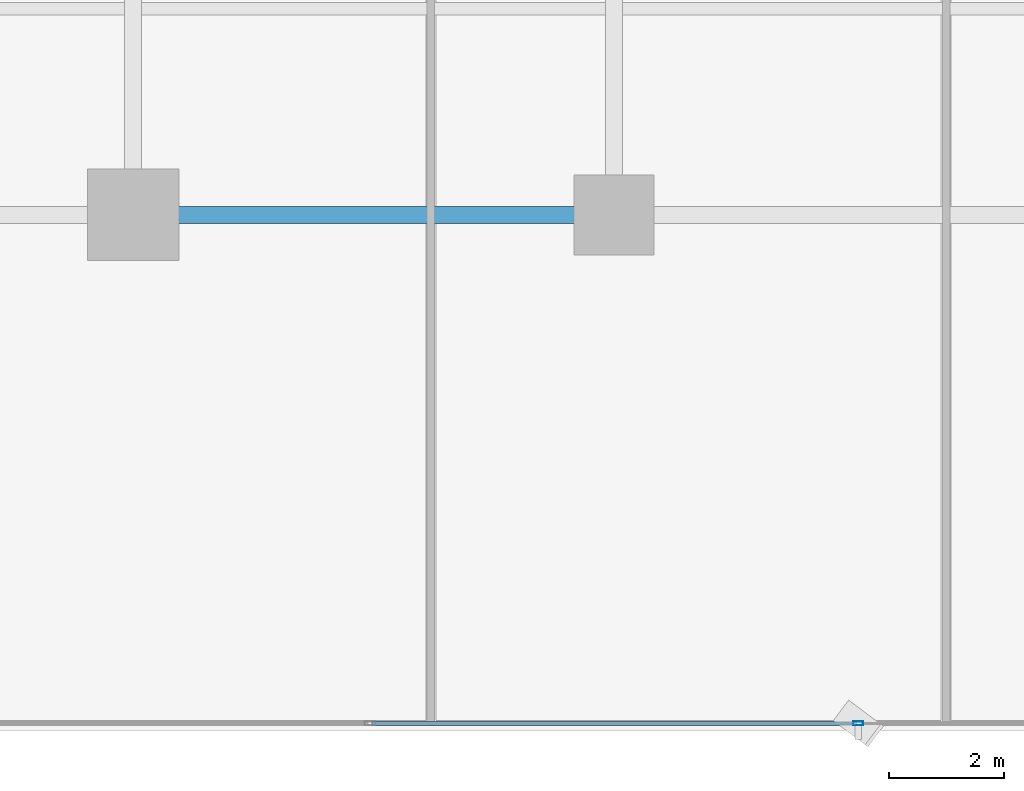
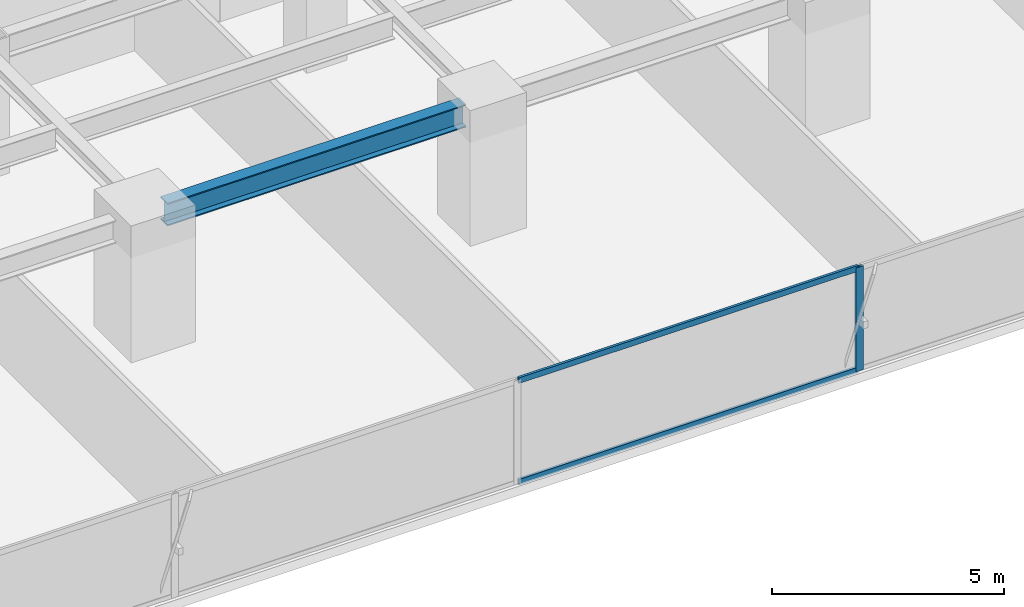
# One storey, part 5 of 33: 3 members, 1 beam, 1 element without a shape of its own.
"""IFC4 building model written with IfcOpenShell, lengths in metres."""

from ifc_helpers import new_model, si_unit, direction, frame, origin, origin_2d, place, context, subcontext, project, spatial, hollow_rectangle, i_section, extrude, source, transform, mapped, material, layer, layer_set, material_profile, profile_set, type_object, element, aggregate, save


model = new_model("IFC4")

# Units and contexts
model_context = context("Model", 3, precision=1e-05, world=origin(), true_north=direction((0.0, 1.0)))
body_context = subcontext(model_context, "Body", "Model", "MODEL_VIEW")
ifc_project = project(units=[si_unit("LENGTHUNIT", "METRE"), si_unit("AREAUNIT", "SQUARE_METRE"), si_unit("VOLUMEUNIT", "CUBIC_METRE"), si_unit("PLANEANGLEUNIT", "RADIAN"), si_unit("MASSUNIT", "GRAM", prefix="KILO")], contexts=[model_context])

# Site, building, storey
site_placement = place(None, origin())
site = spatial("IfcSite", under=ifc_project, at=site_placement, CompositionType="ELEMENT")
building_placement = place(site_placement, origin())
building = spatial("IfcBuilding", under=site, at=building_placement, Name="Sumidabori Civic Tower", CompositionType="ELEMENT")
storey_placement = place(building_placement, frame((0.0, 0.0, 38.0)))
storey = spatial("IfcBuildingStorey", under=building, at=storey_placement, Name="L09", CompositionType="ELEMENT", Elevation=38.0)

# Beam
ifc_material_1 = material(Name="Steel SN490", Category="steel")
ifc_material_profile_1 = material_profile(ifc_material_1, i_section(OverallWidth=0.300048828125, OverallDepth=0.60009765625, WebThickness=0.015380859375, FlangeThickness=0.030029296875, at=origin_2d()), Name="HE 600 B")
ifc_profile_set_1 = profile_set([ifc_material_profile_1], Name="Steel SN490")
beam_type = type_object("IfcBeamType", Name="BM-GIRD-600", PredefinedType="BEAM", material=ifc_profile_set_1)
shared_shape_1 = source(origin(), body_context, "Body", "SweptSolid", [
    extrude(i_section(OverallWidth=0.300048828125, OverallDepth=0.60009765625, WebThickness=0.015380859375, FlangeThickness=0.030029296875, at=origin_2d()), origin(), (0.0, 0.0, 1.0), 7.43994140625),
])
beam_placement = place(storey_placement, frame((-7.919921875, -18.0, 3.06005859375), z_axis=(1.0, 0.0, 0.0), x_axis=(0.0, 1.0, 0.0)))
element("IfcBeam", 1, at=beam_placement, inside=storey, type_object=beam_type, Name="Primary Girder L09 GX-03", PredefinedType="BEAM", context=body_context, shape_type="MappedRepresentation", body=[
    mapped(shared_shape_1, transform((0.0, 0.0, 0.0), x_axis=(1.0, 0.0, 0.0), y_axis=(0.0, 1.0, 0.0), z_axis=(0.0, 0.0, 1.0), scale=1.0)),
])

# Curtain wall, members
ifc_material_2 = material(Name="Anodised Bronze Aluminium AW-6063-T6", Category="aluminium")
ifc_layer = layer(ifc_material_2, 0.179931640625, Name="Anodised Bronze Aluminium AW-6063-T6")
ifc_layer_set = layer_set([ifc_layer], Name="Anodised Bronze Aluminium AW-6063-T6")
curtain_wall_type = type_object("IfcCurtainWallType", Name="CW-SYS-2", PredefinedType="NOTDEFINED", material=ifc_layer_set)
curtain_wall_placement = place(storey_placement, origin())
curtain_wall = element("IfcCurtainWall", 2, at=curtain_wall_placement, inside=storey, type_object=curtain_wall_type, Name="Curtain Wall CW:L09:R01", PredefinedType="NOTDEFINED")
ifc_material_profile_2 = material_profile(ifc_material_2, hollow_rectangle(XDim=0.070068359375, YDim=0.179931640625, WallThickness=0.006103515625, at=origin_2d()), Name="ALU MULLION 180x70")
ifc_profile_set_2 = profile_set([ifc_material_profile_2], Name="Anodised Bronze Aluminium AW-6063-T6")
member_type_1 = type_object("IfcMemberType", Name="CW-MUL-180", PredefinedType="MULLION", material=ifc_profile_set_2)
shared_shape_2 = source(origin(), body_context, "Body", "SweptSolid", [
    extrude(hollow_rectangle(XDim=0.070068359375, YDim=0.179931640625, WallThickness=0.006103515625, at=origin_2d()), origin(), (0.0, 0.0, 1.0), 2.739990234375),
])
member_1_placement = place(storey_placement, frame((4.263916015625, -26.8798828125, 0.0), z_axis=(0.0, 0.0, 1.0), x_axis=(0.0, 1.0, 0.0)))
member_1 = element("IfcMember", 3, at=member_1_placement, type_object=member_type_1, Name="CW-2 mullion 4", PredefinedType="MULLION", context=body_context, shape_type="MappedRepresentation", body=[
    mapped(shared_shape_2, transform((0.0, 0.0, 0.0), x_axis=(1.0, 0.0, 0.0), y_axis=(0.0, 1.0, 0.0), z_axis=(0.0, 0.0, 1.0), scale=1.0)),
])
ifc_material_profile_3 = material_profile(ifc_material_2, hollow_rectangle(XDim=0.06494140625, YDim=0.14990234375, WallThickness=0.0048828125, at=origin_2d()), Name="ALU TRANSOM 150x65")
ifc_profile_set_3 = profile_set([ifc_material_profile_3], Name="Anodised Bronze Aluminium AW-6063-T6")
member_type_2 = type_object("IfcMemberType", Name="CW-TRN-150", PredefinedType="USERDEFINED", material=ifc_profile_set_3)
shared_shape_3 = source(origin(), body_context, "Body", "SweptSolid", [
    extrude(hollow_rectangle(XDim=0.06494140625, YDim=0.14990234375, WallThickness=0.0048828125, at=origin_2d()), origin(), (0.0, 0.0, 1.0), 8.4580078125),
])
member_2_placement = place(storey_placement, frame((-4.22900390625, -26.8798828125, 0.032470703125), z_axis=(1.0, 0.0, 0.0), x_axis=(0.0, 1.0, 0.0)))
member_2 = element("IfcMember", 4, at=member_2_placement, type_object=member_type_2, Name="CW-2 transom 3.1", ObjectType="TRANSOM", PredefinedType="USERDEFINED", context=body_context, shape_type="MappedRepresentation", body=[
    mapped(shared_shape_3, transform((0.0, 0.0, 0.0), x_axis=(1.0, 0.0, 0.0), y_axis=(0.0, 1.0, 0.0), z_axis=(0.0, 0.0, 1.0), scale=1.0)),
])
member_3_placement = place(storey_placement, frame((-4.22900390625, -26.8798828125, 2.70751953125), z_axis=(1.0, 0.0, 0.0), x_axis=(0.0, 1.0, 0.0)))
member_3 = element("IfcMember", 5, at=member_3_placement, type_object=member_type_2, Name="CW-2 transom 3.2", ObjectType="TRANSOM", PredefinedType="USERDEFINED", context=body_context, shape_type="MappedRepresentation", body=[
    mapped(shared_shape_3, transform((0.0, 0.0, 0.0), x_axis=(1.0, 0.0, 0.0), y_axis=(0.0, 1.0, 0.0), z_axis=(0.0, 0.0, 1.0), scale=1.0)),
])
aggregate(curtain_wall, [member_1, member_2, member_3])

save(model, "model.ifc")
